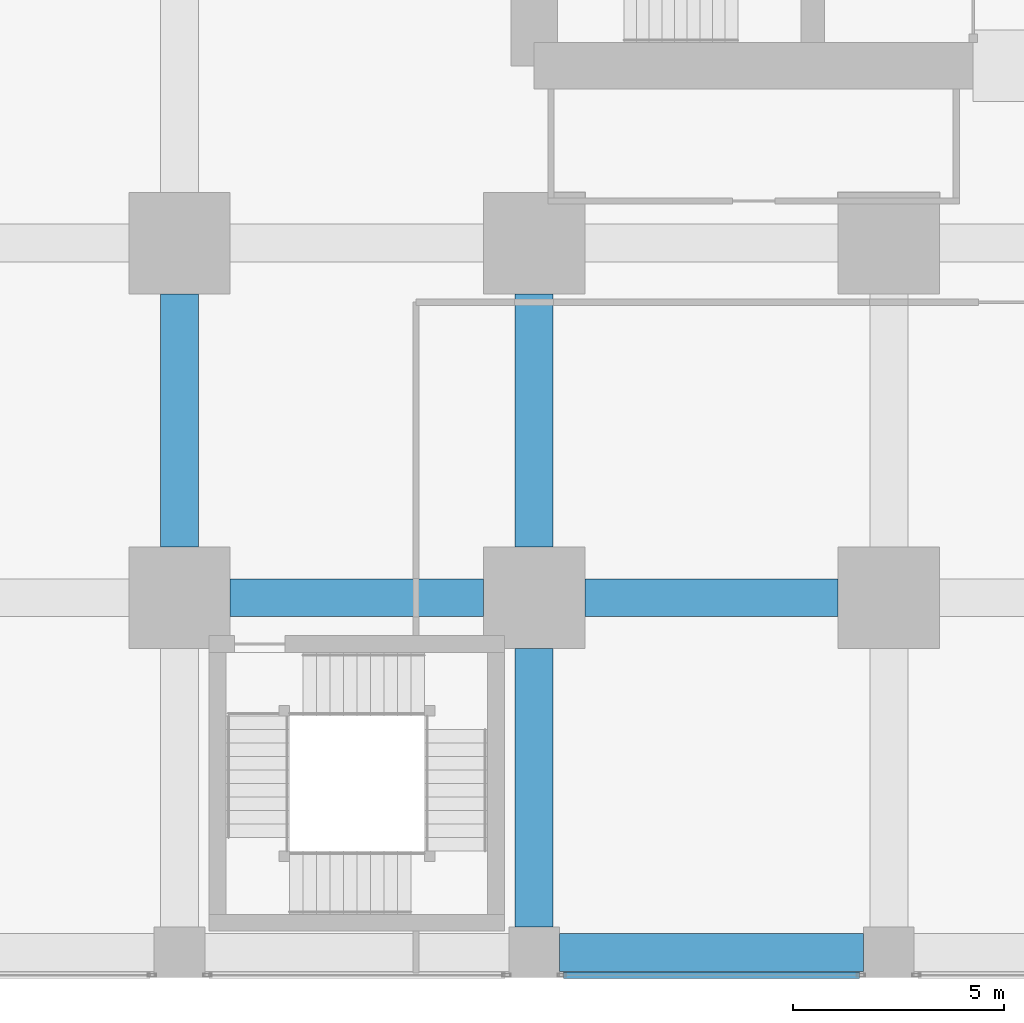
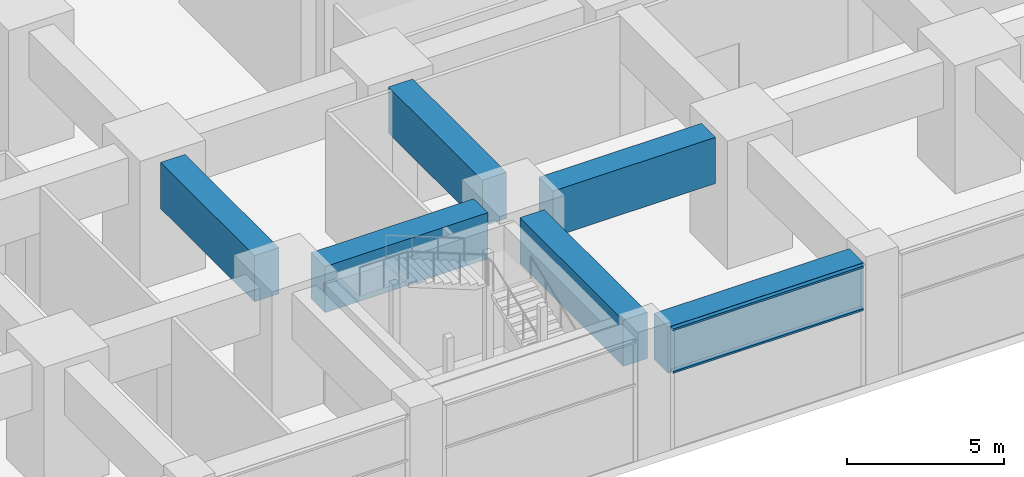
# One storey, part 8 of 48: 6 beams, 2 members, 1 element without a shape of its own.
"""IFC4 building model written with IfcOpenShell, lengths in metres."""

from ifc_helpers import new_model, si_unit, direction, frame, origin, origin_2d, place, context, subcontext, project, spatial, rectangle, hollow_rectangle, extrude, material, material_profile, profile_set, type_object, element, aggregate, save


model = new_model("IFC4")

# Units and contexts
model_context = context("Model", 3, precision=1e-05, world=origin(), true_north=direction((0.0, 1.0)))
body_context = subcontext(model_context, "Body", "Model", "MODEL_VIEW")
ifc_project = project(units=[si_unit("LENGTHUNIT", "METRE"), si_unit("AREAUNIT", "SQUARE_METRE"), si_unit("VOLUMEUNIT", "CUBIC_METRE"), si_unit("PLANEANGLEUNIT", "RADIAN"), si_unit("MASSUNIT", "GRAM", prefix="KILO")], contexts=[model_context])

# Site, building, storey
site_placement = place(None, origin())
site = spatial("IfcSite", under=ifc_project, at=site_placement, CompositionType="ELEMENT")
building_placement = place(site_placement, origin())
building = spatial("IfcBuilding", under=site, at=building_placement, Name="Rekha Terrace Tower", CompositionType="ELEMENT")
storey_placement = place(building_placement, frame((0.0, 0.0, 15.39990234375)))
storey = spatial("IfcBuildingStorey", under=building, at=storey_placement, Name="L03", CompositionType="ELEMENT", Elevation=15.39990234375)

# Curtain wall, members
ifc_material_1 = material(Name="Aluminium framing", Category="aluminium")
curtain_wall_type = type_object("IfcCurtainWallType", Name="CW4 podium shopfront glazing", PredefinedType="USERDEFINED", material=ifc_material_1)
curtain_wall_placement = place(storey_placement, origin())
curtain_wall = element("IfcCurtainWall", 1, at=curtain_wall_placement, inside=storey, type_object=curtain_wall_type, Name="CW4 shopfront curtain wall", ObjectType="SHOPFRONT CURTAIN WALL", PredefinedType="USERDEFINED")
ifc_material_2 = material(Name="Aluminium transom section", Category="aluminium")
ifc_material_profile_1 = material_profile(ifc_material_2, hollow_rectangle(XDim=0.14990234375, YDim=0.074951171875, WallThickness=0.0029296875, at=origin_2d()), Name="AL RHS 150x75")
ifc_profile_set_1 = profile_set([ifc_material_profile_1], Name="Aluminium transom section")
member_type = type_object("IfcMemberType", Name="CW4 transom RHS 75 x 150", PredefinedType="USERDEFINED", material=ifc_profile_set_1)
member_1_placement = place(storey_placement, frame((25.89501953125, -0.5400390625, 3.0), z_axis=(1.0, 0.0, 0.0), x_axis=(0.0, 1.0, 0.0)))
member_1 = element("IfcMember", 2, at=member_1_placement, type_object=member_type, Name="CW4 transom 1.2", ObjectType="TRANSOM", PredefinedType="USERDEFINED", context=body_context, shape_type="SweptSolid", body=[
    extrude(hollow_rectangle(XDim=0.14990234375, YDim=0.074951171875, WallThickness=0.0029296875, at=origin_2d()), origin(), (0.0, 0.0, 1.0), 7.010009765625),
])
member_2_placement = place(storey_placement, frame((25.89501953125, -0.5400390625, 4.66259765625), z_axis=(1.0, 0.0, 0.0), x_axis=(0.0, 1.0, 0.0)))
member_2 = element("IfcMember", 3, at=member_2_placement, type_object=member_type, Name="CW4 transom 1.3", ObjectType="TRANSOM", PredefinedType="USERDEFINED", context=body_context, shape_type="SweptSolid", body=[
    extrude(hollow_rectangle(XDim=0.14990234375, YDim=0.074951171875, WallThickness=0.0029296875, at=origin_2d()), origin(), (0.0, 0.0, 1.0), 7.010009765625),
])
aggregate(curtain_wall, [member_1, member_2])

# Beams
ifc_material_3 = material(Name="Concrete M60", Category="concrete")
ifc_material_profile_2 = material_profile(ifc_material_3, rectangle(XDim=0.89990234375, YDim=1.800048828125, at=origin_2d()), Name="RC 900x1800")
ifc_profile_set_2 = profile_set([ifc_material_profile_2], Name="Concrete M60")
beam_type = type_object("IfcBeamType", Name="G1 900x1800 podium floor beam", PredefinedType="BEAM", material=ifc_profile_set_2)
for number, where, z_axis, x_axis, name in (
    (4, (18.0, 8.39990234375, 3.800048828125), (1.0, 0.0, 0.0), (0.0, 1.0, 0.0), "Beam G1 3B-4B under L04"),
    (5, (16.800048828125, 9.60009765625, 3.800048828125), (0.0, 1.0, 0.0), (-1.0, 0.0, 0.0), "Beam G1 3B-3C under L04"),
):
    element("IfcBeam", number, at=place(storey_placement, frame(where, z_axis=z_axis, x_axis=x_axis)), inside=storey, type_object=beam_type, Name=name, PredefinedType="BEAM", context=body_context, shape_type="SweptSolid", body=[
        extrude(rectangle(XDim=0.89990234375, YDim=1.800048828125, at=origin_2d()), origin(), (0.0, 0.0, 1.0), 6.0),
    ])
beam_1_placement = place(storey_placement, frame((25.800048828125, 0.0, 3.800048828125), z_axis=(1.0, 0.0, 0.0), x_axis=(0.0, 1.0, 0.0)))
element("IfcBeam", 6, at=beam_1_placement, inside=storey, type_object=beam_type, Name="Beam G1 4A-5A under L04", PredefinedType="BEAM", context=body_context, shape_type="SweptSolid", body=[
    extrude(rectangle(XDim=0.89990234375, YDim=1.800048828125, at=origin_2d()), origin(), (0.0, 0.0, 1.0), 7.199951171875),
])
beam_2_placement = place(storey_placement, frame((25.199951171875, 0.60009765625, 3.800048828125), z_axis=(0.0, 1.0, 0.0), x_axis=(-1.0, 0.0, 0.0)))
element("IfcBeam", 7, at=beam_2_placement, inside=storey, type_object=beam_type, Name="Beam G1 4A-4B under L04", PredefinedType="BEAM", context=body_context, shape_type="SweptSolid", body=[
    extrude(rectangle(XDim=0.89990234375, YDim=1.800048828125, at=origin_2d()), origin(), (0.0, 0.0, 1.0), 6.599853515625),
])
for number, where, z_axis, x_axis, name in (
    (8, (26.39990234375, 8.39990234375, 3.800048828125), (1.0, 0.0, 0.0), (0.0, 1.0, 0.0), "Beam G1 4B-5B under L04"),
    (9, (25.199951171875, 9.60009765625, 3.800048828125), (0.0, 1.0, 0.0), (-1.0, 0.0, 0.0), "Beam G1 4B-4C under L04"),
):
    element("IfcBeam", number, at=place(storey_placement, frame(where, z_axis=z_axis, x_axis=x_axis)), inside=storey, type_object=beam_type, Name=name, PredefinedType="BEAM", context=body_context, shape_type="SweptSolid", body=[
        extrude(rectangle(XDim=0.89990234375, YDim=1.800048828125, at=origin_2d()), origin(), (0.0, 0.0, 1.0), 6.0),
    ])

save(model, "model.ifc")
